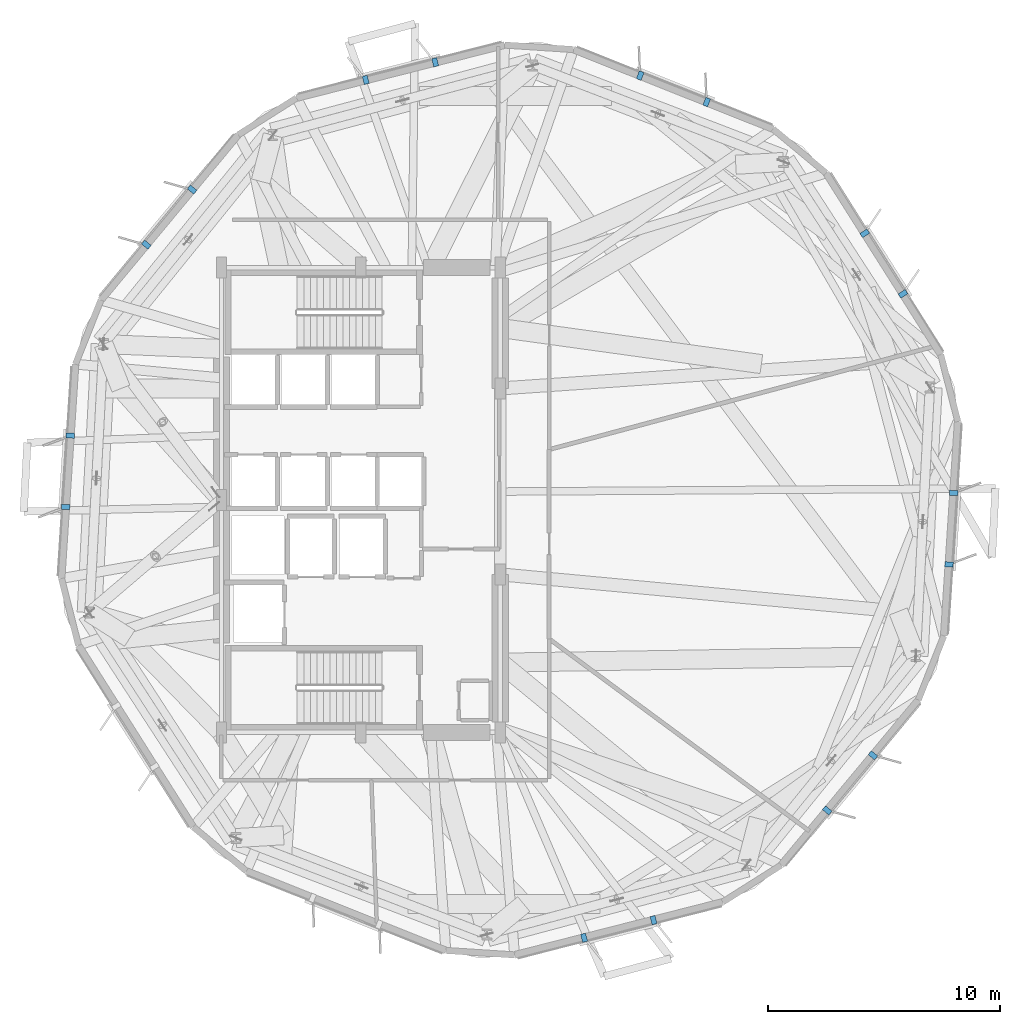
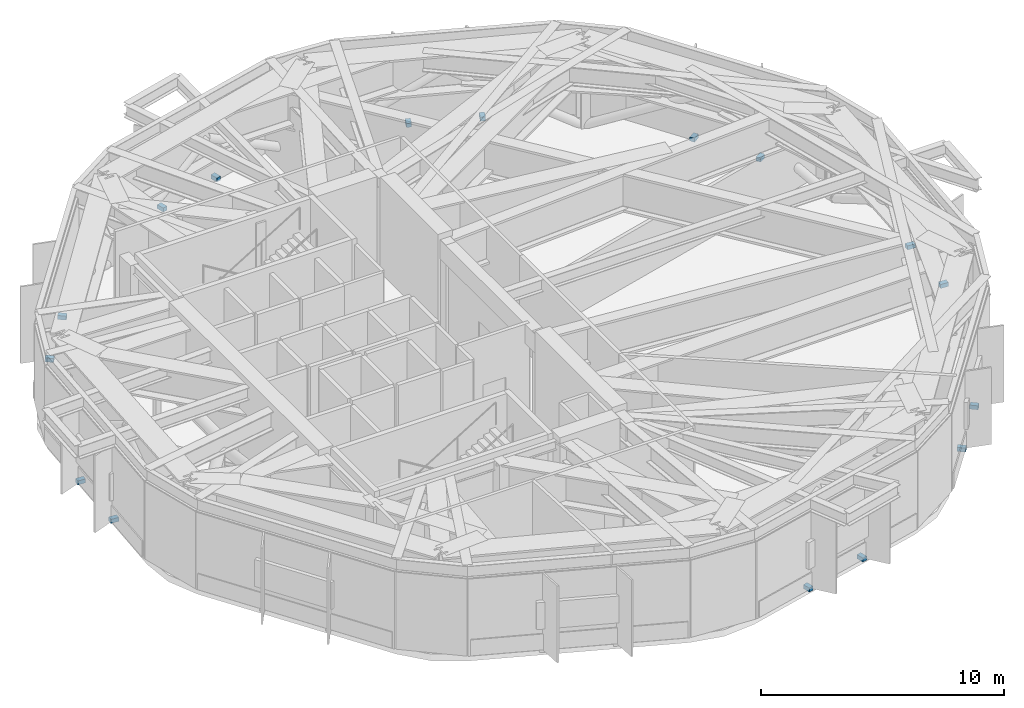
# One storey, part 10 of 13: 16 discrete accessories.
"""IFC4 building model written with IfcOpenShell, lengths in metres."""

from ifc_helpers import new_model, si_unit, direction, frame, origin, origin_2d, place, context, subcontext, project, spatial, rectangle, extrude, material, type_object, element, save


model = new_model("IFC4")

# Units and contexts
model_context = context("Model", 3, precision=1e-05, world=origin(), true_north=direction((0.0, 1.0)))
body_context = subcontext(model_context, "Body", "Model", "MODEL_VIEW")
ifc_project = project(units=[si_unit("LENGTHUNIT", "METRE"), si_unit("AREAUNIT", "SQUARE_METRE"), si_unit("VOLUMEUNIT", "CUBIC_METRE"), si_unit("PLANEANGLEUNIT", "RADIAN"), si_unit("MASSUNIT", "GRAM", prefix="KILO")], contexts=[model_context])

# Site, building, storey
site_placement = place(None, origin())
site = spatial("IfcSite", under=ifc_project, at=site_placement, CompositionType="ELEMENT")
building_placement = place(site_placement, origin())
building = spatial("IfcBuilding", under=site, at=building_placement, Name="Soratama Intermodal Tower", CompositionType="ELEMENT")
storey_placement = place(building_placement, frame((0.0, 0.0, 82.60009765625)))
storey = spatial("IfcBuildingStorey", under=building, at=storey_placement, Name="L19", CompositionType="ELEMENT", Elevation=82.60009765625)

# Discrete accessories
ifc_material = material(Name="Structural steel ASTM A992 Grade 50", Category="steel")
discrete_accessory_type = type_object("IfcDiscreteAccessoryType", Name="AC-FIN-BRACKET", PredefinedType="BRACKET", material=ifc_material)
for number, where, z_axis, x_axis, name in (
    (1, (61.92578125, 33.869384765625, -0.080078125), (0.0, 0.0, 1.0), (0.845448305879, 0.534057264801, 0.0), "L19 Fin Bracket F01-1"),
    (2, (60.280029296875, 36.474609375, -0.080078125), (0.0, 0.0, 1.0), (0.845448305879, 0.534057264801, 0.0), "L19 Fin Bracket F01-2"),
    (3, (53.47998046875, 42.124267578125, -0.080078125), (0.0, 0.0, 1.0), (0.370071063192, 0.929003448964, 0.0), "L19 Fin Bracket F02-1"),
    (4, (50.6171875, 43.2646484375, -0.080078125), (0.0, 0.0, 1.0), (0.370071063192, 0.929003448964, 0.0), "L19 Fin Bracket F02-2"),
    (5, (41.795166015625, 43.838134765625, -0.080078125), (0.0, 0.0, 1.0), (-0.246660747381, 0.96910189129, 0.0), "L19 Fin Bracket F03-1"),
    (6, (38.80859375, 43.078125, -0.080078125), (0.0, 0.0, 1.0), (-0.246660747381, 0.96910189129, 0.0), "L19 Fin Bracket F03-2"),
    (7, (31.33447265625, 38.356689453125, -0.080078125), (0.0, 0.0, 1.0), (-0.769176536145, 0.639036349704, 0.0), "L19 Fin Bracket F04-1"),
    (8, (29.364990234375, 35.986328125, -0.080078125), (0.0, 0.0, 1.0), (-0.769176536145, 0.639036349704, 0.0), "L19 Fin Bracket F04-2"),
    (9, (26.093505859375, 27.773193359375, -0.080078125), (0.0, 0.0, 1.0), (-0.997893031451, 0.064880642578, 0.0), "L19 Fin Bracket F05-1"),
    (10, (25.8935546875, 24.6982421875, -0.080078125), (0.0, 0.0, 1.0), (-0.997893031451, 0.064880642578, 0.0), "L19 Fin Bracket F05-2"),
    (11, (48.204833984375, 6.161865234375, -0.080078125), (0.0, 0.0, 1.0), (0.246660747381, -0.96910189129, 0.0), "L19 Fin Bracket F08-1"),
    (12, (51.19140625, 6.921875, -0.080078125), (0.0, 0.0, 1.0), (0.246660747381, -0.96910189129, 0.0), "L19 Fin Bracket F08-2"),
    (13, (58.66552734375, 11.643310546875, -0.080078125), (0.0, 0.0, 1.0), (0.769176536145, -0.639036349704, 0.0), "L19 Fin Bracket F09-1"),
    (14, (60.635009765625, 14.013671875, -0.080078125), (0.0, 0.0, 1.0), (0.769176536145, -0.639036349704, 0.0), "L19 Fin Bracket F09-2"),
    (15, (63.906494140625, 22.226806640625, -0.080078125), (0.0, 0.0, 1.0), (0.997893031451, -0.064880642578, 0.0), "L19 Fin Bracket F10-1"),
    (16, (64.1064453125, 25.3017578125, -0.080078125), (0.0, 0.0, 1.0), (0.997893031451, -0.064880642578, 0.0), "L19 Fin Bracket F10-2"),
):
    element("IfcDiscreteAccessory", number, at=place(storey_placement, frame(where, z_axis=z_axis, x_axis=x_axis)), inside=storey, type_object=discrete_accessory_type, Name=name, PredefinedType="BRACKET", context=body_context, shape_type="SweptSolid", body=[
        extrude(rectangle(XDim=0.360107421875, YDim=0.219970703125, at=origin_2d()), origin(), (0.0, 0.0, 1.0), 0.199951171875),
    ])

save(model, "model.ifc")
